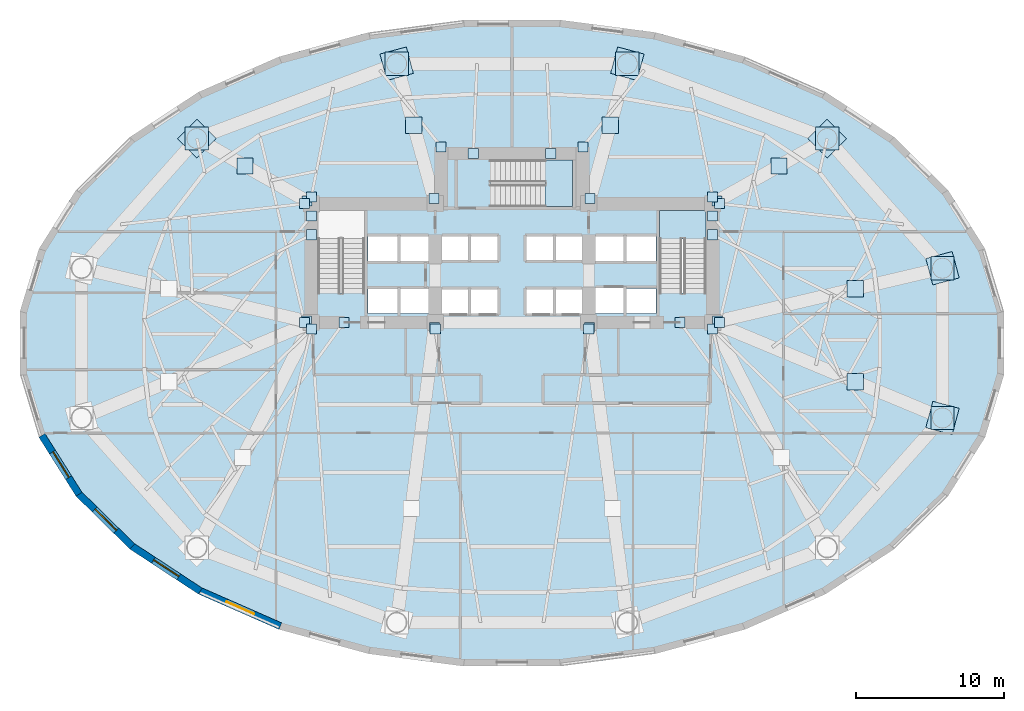
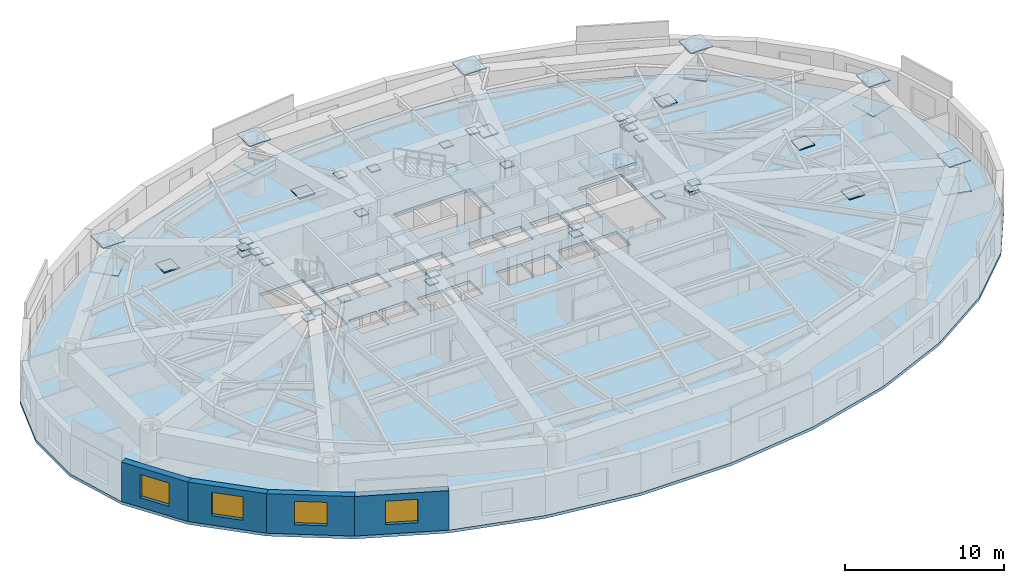
# One storey, part 4 of 14: 46 plates, 4 walls, 4 windows, 3 slabs, 4 openings, 2 elements without a shape of their own.
"""IFC4 building model written with IfcOpenShell, lengths in metres."""

from ifc_helpers import new_model, si_unit, direction, frame, frame_2d, origin, origin_2d, place, context, subcontext, project, spatial, polyline, rectangle, outline, extrude, material, layer, layer_set, type_object, element, fill, aggregate, save


model = new_model("IFC4")

# Units and contexts
model_context = context("Model", 3, precision=1e-05, world=origin(), true_north=direction((0.0, 1.0)))
body_context = subcontext(model_context, "Body", "Model", "MODEL_VIEW")
ifc_project = project(units=[si_unit("LENGTHUNIT", "METRE"), si_unit("AREAUNIT", "SQUARE_METRE"), si_unit("VOLUMEUNIT", "CUBIC_METRE"), si_unit("PLANEANGLEUNIT", "RADIAN"), si_unit("MASSUNIT", "GRAM", prefix="KILO")], contexts=[model_context])

# Site, building, storey
site_placement = place(None, origin())
site = spatial("IfcSite", under=ifc_project, at=site_placement, CompositionType="ELEMENT")
building_placement = place(site_placement, origin())
building = spatial("IfcBuilding", under=site, at=building_placement, Name="Keldmark Tower", CompositionType="ELEMENT")
storey_placement = place(building_placement, frame((0.0, 0.0, 22.800048828125)))
storey = spatial("IfcBuildingStorey", under=building, at=storey_placement, Name="L05", CompositionType="ELEMENT", Elevation=22.800048828125)

# Plates
ifc_material_1 = material(Name="Steel ASTM A572 Grade 50", Category="steel")
ifc_layer_1 = layer(ifc_material_1, 0.06005859375)
ifc_layer_set_1 = layer_set([ifc_layer_1], Name="Steel ASTM A572 Grade 50")
plate_type_1 = type_object("IfcPlateType", Name="Belt Truss Kink Node Assembly KN01 60 mm", PredefinedType="USERDEFINED", material=ifc_layer_set_1)
for number, where, z_axis, x_axis, name in (
    (1, (13.940673828125, 1.48046875, 2.97265625), (0.0, 0.0, 1.0), (1.0, 0.0, 0.0), "L05 Core Wall Cast-In Embed Plate 103"),
    (2, (13.904296875, 9.623046875, 2.97265625), (0.0, 0.0, 1.0), (1.0, 0.0, 0.0), "L05 Core Wall Cast-In Embed Plate 104"),
    (3, (5.293212890625, 9.787353515625, 2.97265625), (0.0, 0.0, 1.0), (1.0, 0.0, 0.0), "L05 Core Wall Cast-In Embed Plate 105"),
    (4, (-5.293212890625, 9.787353515625, 2.97265625), (0.0, 0.0, 1.0), (1.0, 0.0, 0.0), "L05 Core Wall Cast-In Embed Plate 106"),
    (5, (-13.904296875, 9.623046875, 2.97265625), (0.0, 0.0, 1.0), (1.0, 0.0, 0.0), "L05 Core Wall Cast-In Embed Plate 107"),
    (6, (-13.940673828125, 1.48046875, 2.97265625), (0.0, 0.0, 1.0), (1.0, 0.0, 0.0), "L05 Core Wall Cast-In Embed Plate 108"),
    (7, (-5.24462890625, 1.052978515625, 2.97265625), (0.0, 0.0, 1.0), (1.0, 0.0, 0.0), "L05 Core Wall Cast-In Embed Plate 109"),
    (8, (5.24462890625, 1.052978515625, 2.97265625), (0.0, 0.0, 1.0), (1.0, 0.0, 0.0), "L05 Core Wall Cast-In Embed Plate 110"),
    (9, (13.60009765625, 7.343017578125, 3.60400390625), (0.0, 0.0, 1.0), (1.0, 0.0, 0.0), "L05 Core Wall Cast-In Embed Plate 111"),
    (10, (14.050048828125, 9.449951171875, 3.60400390625), (0.0, 0.0, 1.0), (1.0, 0.0, 0.0), "L05 Core Wall Cast-In Embed Plate 112"),
    (11, (14.050048828125, 1.39990234375, 3.60400390625), (0.0, 0.0, 1.0), (1.0, 0.0, 0.0), "L05 Core Wall Cast-In Embed Plate 113"),
    (12, (13.60009765625, 9.89990234375, 3.60400390625), (0.0, 0.0, 1.0), (1.0, 0.0, 0.0), "L05 Core Wall Cast-In Embed Plate 114"),
    (13, (4.800048828125, 13.300048828125, 3.60400390625), (0.0, 0.0, 1.0), (1.0, 0.0, 0.0), "L05 Core Wall Cast-In Embed Plate 115"),
    (14, (2.625, 12.85009765625, 3.60400390625), (0.0, 0.0, 1.0), (1.0, 0.0, 0.0), "L05 Core Wall Cast-In Embed Plate 116"),
    (15, (-2.625, 12.85009765625, 3.60400390625), (0.0, 0.0, 1.0), (1.0, 0.0, 0.0), "L05 Core Wall Cast-In Embed Plate 117"),
    (16, (-4.800048828125, 13.300048828125, 3.60400390625), (0.0, 0.0, 1.0), (1.0, 0.0, 0.0), "L05 Core Wall Cast-In Embed Plate 118"),
    (17, (-13.60009765625, 9.89990234375, 3.60400390625), (0.0, 0.0, 1.0), (1.0, 0.0, 0.0), "L05 Core Wall Cast-In Embed Plate 119"),
    (18, (-14.050048828125, 1.39990234375, 3.60400390625), (0.0, 0.0, 1.0), (1.0, 0.0, 0.0), "L05 Core Wall Cast-In Embed Plate 120"),
    (19, (-14.050048828125, 9.449951171875, 3.60400390625), (0.0, 0.0, 1.0), (1.0, 0.0, 0.0), "L05 Core Wall Cast-In Embed Plate 121"),
    (20, (-13.60009765625, 7.343017578125, 3.60400390625), (0.0, 0.0, 1.0), (1.0, 0.0, 0.0), "L05 Core Wall Cast-In Embed Plate 122"),
    (21, (-13.60009765625, 8.621337890625, 3.60400390625), (0.0, 0.0, 1.0), (1.0, 0.0, 0.0), "L05 Core Wall Cast-In Embed Plate 123"),
    (22, (-13.60009765625, 0.949951171875, 3.60400390625), (0.0, 0.0, 1.0), (1.0, 0.0, 0.0), "L05 Core Wall Cast-In Embed Plate 124"),
    (23, (-11.392822265625, 1.39990234375, 3.60400390625), (0.0, 0.0, 1.0), (1.0, 0.0, 0.0), "L05 Core Wall Cast-In Embed Plate 125"),
    (24, (-5.199951171875, 0.949951171875, 3.60400390625), (0.0, 0.0, 1.0), (1.0, 0.0, 0.0), "L05 Core Wall Cast-In Embed Plate 126"),
    (25, (5.199951171875, 0.949951171875, 3.60400390625), (0.0, 0.0, 1.0), (1.0, 0.0, 0.0), "L05 Core Wall Cast-In Embed Plate 127"),
    (26, (13.60009765625, 0.949951171875, 3.60400390625), (0.0, 0.0, 1.0), (1.0, 0.0, 0.0), "L05 Core Wall Cast-In Embed Plate 128"),
    (27, (11.392822265625, 1.39990234375, 3.60400390625), (0.0, 0.0, 1.0), (1.0, 0.0, 0.0), "L05 Core Wall Cast-In Embed Plate 129"),
    (28, (13.60009765625, 8.621337890625, 3.60400390625), (0.0, 0.0, 1.0), (1.0, 0.0, 0.0), "L05 Core Wall Cast-In Embed Plate 130"),
):
    element("IfcPlate", number, at=place(storey_placement, frame(where, z_axis=z_axis, x_axis=x_axis)), inside=storey, type_object=plate_type_1, Name=name, ObjectType="CAP PLATE", PredefinedType="USERDEFINED", context=body_context, shape_type="SweptSolid", body=[
        extrude(rectangle(XDim=0.679931640625, YDim=0.679931640625, at=origin_2d()), origin(), (0.0, 0.0, 1.0), 0.054931640625),
    ])
ifc_material_2 = material(Name="Steel ASTM A572 Grade 50", Category="steel")
ifc_layer_2 = layer(ifc_material_2, 0.070068359375)
ifc_layer_set_2 = layer_set([ifc_layer_2], Name="Steel ASTM A572 Grade 50")
plate_type_2 = type_object("IfcPlateType", Name="Pilotis Top Cap Plate BP02 70 mm", PredefinedType="USERDEFINED", material=ifc_layer_set_2)
for number, where, z_axis, x_axis, name in (
    (29, (29.1708984375, 5.072998046875, 4.1298828125), (0.0, 0.0, 1.0), (1.0, 0.0, 0.0), "L05 Pilotis Transfer Cap Plate MC-01"),
    (30, (21.3544921875, 13.859375, 4.1298828125), (0.0, 0.0, 1.0), (1.0, 0.0, 0.0), "L05 Pilotis Transfer Cap Plate MC-02"),
    (31, (7.81640625, 18.93212890625, 4.1298828125), (0.0, 0.0, 1.0), (1.0, 0.0, 0.0), "L05 Pilotis Transfer Cap Plate MC-03"),
    (32, (-7.81640625, 18.93212890625, 4.1298828125), (0.0, 0.0, 1.0), (1.0, 0.0, 0.0), "L05 Pilotis Transfer Cap Plate MC-04"),
    (33, (-21.3544921875, 13.859375, 4.1298828125), (0.0, 0.0, 1.0), (1.0, 0.0, 0.0), "L05 Pilotis Transfer Cap Plate MC-05"),
    (34, (29.1708984375, -5.072998046875, 4.1298828125), (0.0, 0.0, 1.0), (1.0, 0.0, 0.0), "L05 Pilotis Transfer Cap Plate MC-12"),
):
    element("IfcPlate", number, at=place(storey_placement, frame(where, z_axis=z_axis, x_axis=x_axis)), inside=storey, type_object=plate_type_2, Name=name, ObjectType="CAP PLATE", PredefinedType="USERDEFINED", context=body_context, shape_type="SweptSolid", body=[
        extrude(rectangle(XDim=1.580078125, YDim=1.580078125, at=origin_2d()), origin(), (0.0, 0.0, 1.0), 0.070068359375),
    ])

# Stair, slab
ifc_material_3 = material(Name="Concrete C40/50", Category="concrete")
stair_type = type_object("IfcStairType", Name="Precast Concrete Core Exit Stair", PredefinedType="HALF_TURN_STAIR", material=ifc_material_3)
stair_1_placement = place(storey_placement, origin())
stair_1 = element("IfcStair", 35, at=stair_1_placement, inside=storey, type_object=stair_type, Name="L05 Exit Stair ST2", PredefinedType="HALF_TURN_STAIR")
ifc_material_4 = material(Name="Concrete C40/50", Category="concrete")
ifc_layer_3 = layer(ifc_material_4, 0.199951171875)
ifc_layer_set_3 = layer_set([ifc_layer_3], Name="Concrete C40/50")
slab_type_1 = type_object("IfcSlabType", Name="Reinforced Concrete Stair Landing 200 mm", PredefinedType="LANDING", material=ifc_layer_set_3)
slab_1_placement = place(storey_placement, frame((0.0, 0.0, 1.89990234375)))
slab_1 = element("IfcSlab", 36, at=slab_1_placement, type_object=slab_type_1, Name="ST2 landing 1", PredefinedType="LANDING", context=body_context, shape_type="SweptSolid", body=[
    extrude(outline(polyline([(13.14990234375, 7.070068359375), (13.14990234375, 9.0), (10.0, 9.0), (10.0, 7.070068359375), (13.14990234375, 7.070068359375)])), origin(), (0.0, 0.0, 1.0), 0.199951171875),
])
aggregate(stair_1, [slab_1])

stair_2_placement = place(storey_placement, origin())
stair_2 = element("IfcStair", 37, at=stair_2_placement, inside=storey, type_object=stair_type, Name="L05 Exit Stair ST3", PredefinedType="HALF_TURN_STAIR")
slab_2_placement = place(storey_placement, frame((0.0, 0.0, 1.89990234375)))
slab_2 = element("IfcSlab", 38, at=slab_2_placement, type_object=slab_type_1, Name="ST3 landing 1", PredefinedType="LANDING", context=body_context, shape_type="SweptSolid", body=[
    extrude(outline(polyline([(2.2451171875, 9.25), (4.10498046875, 9.25), (4.10498046875, 12.39990234375), (2.2451171875, 12.39990234375), (2.2451171875, 9.25)])), origin(), (0.0, 0.0, 1.0), 0.199951171875),
])
aggregate(stair_2, [slab_2])

# Slab
ifc_material_5 = material(Name="Concrete C35/45", Category="concrete")
ifc_layer_4 = layer(ifc_material_5, 0.219970703125)
ifc_layer_set_4 = layer_set([ifc_layer_4], Name="Concrete C35/45")
slab_type_2 = type_object("IfcSlabType", Name="Sky Lobby Floor Slab 220 mm", PredefinedType="FLOOR", material=ifc_layer_set_4)
slab_3_placement = place(storey_placement, frame((0.0, 0.0, -0.219970703125)))
element("IfcSlab", 39, at=slab_3_placement, inside=storey, type_object=slab_type_2, Name="L05 Composite Structural Floor Slab", PredefinedType="FLOOR", context=body_context, shape_type="SweptSolid", body=[
    extrude(outline(polyline([(33.338623046875, 2.156494140625), (32.0576171875, 6.38623046875), (29.54443359375, 10.37060546875), (25.89599609375, 13.956787109375), (21.252197265625, 17.006103515625), (15.791748046875, 19.40234375), (9.724609375, 21.052734375), (3.28369140625, 21.89404296875), (-3.28369140625, 21.89404296875), (-9.724609375, 21.052734375), (-15.791748046875, 19.40234375), (-21.252197265625, 17.006103515625), (-25.89599609375, 13.956787109375), (-29.54443359375, 10.37060546875), (-32.0576171875, 6.38623046875), (-33.338623046875, 2.156494140625), (-33.338623046875, -2.156494140625), (-32.0576171875, -6.38623046875), (-29.54443359375, -10.37060546875), (-25.89599609375, -13.956787109375), (-21.252197265625, -17.006103515625), (-15.791748046875, -19.40234375), (-9.724609375, -21.052734375), (-3.28369140625, -21.89404296875), (3.28369140625, -21.89404296875), (9.724609375, -21.052734375), (15.791748046875, -19.40234375), (21.252197265625, -17.006103515625), (25.89599609375, -13.956787109375), (29.54443359375, -10.37060546875), (32.0576171875, -6.38623046875), (33.338623046875, -2.156494140625), (33.338623046875, 2.156494140625)]), holes=[polyline([(-10.0, 3.385009765625), (-10.0, 9.0), (-13.14990234375, 9.0), (-13.14990234375, 3.385009765625), (-10.0, 3.385009765625)]), polyline([(13.14990234375, 3.385009765625), (13.14990234375, 9.0), (10.0, 9.0), (10.0, 3.385009765625), (13.14990234375, 3.385009765625)]), polyline([(-1.43994140625, 9.25), (4.10498046875, 9.25), (4.10498046875, 12.39990234375), (-1.43994140625, 12.39990234375), (-1.43994140625, 9.25)]), polyline([(-9.75, 2.0), (-7.75, 2.0), (-7.75, 3.699951171875), (-9.75, 3.699951171875), (-9.75, 2.0)]), polyline([(7.75, 2.0), (9.75, 2.0), (9.75, 3.699951171875), (7.75, 3.699951171875), (7.75, 2.0)]), polyline([(5.449951171875, 2.0), (7.550048828125, 2.0), (7.550048828125, 3.75), (5.449951171875, 3.75), (5.449951171875, 2.0)]), polyline([(-4.800048828125, 2.0), (-2.949951171875, 2.0), (-2.949951171875, 3.64990234375), (-4.800048828125, 3.64990234375), (-4.800048828125, 2.0)]), polyline([(-2.800048828125, 2.0), (-0.949951171875, 2.0), (-0.949951171875, 3.64990234375), (-2.800048828125, 3.64990234375), (-2.800048828125, 2.0)]), polyline([(0.949951171875, 2.0), (2.800048828125, 2.0), (2.800048828125, 3.64990234375), (0.949951171875, 3.64990234375), (0.949951171875, 2.0)]), polyline([(2.949951171875, 2.0), (4.800048828125, 2.0), (4.800048828125, 3.64990234375), (2.949951171875, 3.64990234375), (2.949951171875, 2.0)]), polyline([(-4.800048828125, 5.60009765625), (-2.949951171875, 5.60009765625), (-2.949951171875, 7.25), (-4.800048828125, 7.25), (-4.800048828125, 5.60009765625)]), polyline([(-2.800048828125, 5.60009765625), (-0.949951171875, 5.60009765625), (-0.949951171875, 7.25), (-2.800048828125, 7.25), (-2.800048828125, 5.60009765625)]), polyline([(0.949951171875, 5.60009765625), (2.800048828125, 5.60009765625), (2.800048828125, 7.25), (0.949951171875, 7.25), (0.949951171875, 5.60009765625)]), polyline([(2.949951171875, 5.60009765625), (4.800048828125, 5.60009765625), (4.800048828125, 7.25), (2.949951171875, 7.25), (2.949951171875, 5.60009765625)]), polyline([(-9.75, 5.550048828125), (-7.75, 5.550048828125), (-7.75, 7.25), (-9.75, 7.25), (-9.75, 5.550048828125)]), polyline([(-7.550048828125, 5.550048828125), (-5.550048828125, 5.550048828125), (-5.550048828125, 7.25), (-7.550048828125, 7.25), (-7.550048828125, 5.550048828125)]), polyline([(-7.550048828125, 2.0), (-5.550048828125, 2.0), (-5.550048828125, 3.699951171875), (-7.550048828125, 3.699951171875), (-7.550048828125, 2.0)]), polyline([(5.449951171875, 5.550048828125), (7.550048828125, 5.550048828125), (7.550048828125, 7.25), (5.449951171875, 7.25), (5.449951171875, 5.550048828125)]), polyline([(7.75, 5.550048828125), (9.75, 5.550048828125), (9.75, 7.25), (7.75, 7.25), (7.75, 5.550048828125)])]), origin(), (0.0, 0.0, 1.0), 0.219970703125),
])

# Plates
ifc_material_6 = material(Name="Steel ASTM A572 Grade 50", Category="steel")
ifc_layer_5 = layer(ifc_material_6, 0.0849609375)
ifc_layer_set_5 = layer_set([ifc_layer_5], Name="Steel ASTM A572 Grade 50")
plate_type_3 = type_object("IfcPlateType", Name="Transfer Ring Node Assembly TN01 85 mm", PredefinedType="USERDEFINED", material=ifc_layer_set_5)
for number, where, z_axis, x_axis, name in (
    (40, (29.1708984375, 5.072998046875, 2.014892578125), (0.0, 0.0, 1.0), (0.965925826289, 0.258819045103, 0.0), "L05 Transfer Ring Node Assembly TN01-01"),
    (41, (21.3544921875, 13.859375, 2.014892578125), (0.0, 0.0, 1.0), (0.707106781187, 0.707106781187, 0.0), "L05 Transfer Ring Node Assembly TN01-02"),
    (42, (7.81640625, 18.93212890625, 2.014892578125), (0.0, 0.0, 1.0), (0.258819045103, 0.965925826289, 0.0), "L05 Transfer Ring Node Assembly TN01-03"),
    (43, (-7.81640625, 18.93212890625, 2.014892578125), (0.0, 0.0, 1.0), (-0.258819045103, 0.965925826289, 0.0), "L05 Transfer Ring Node Assembly TN01-04"),
    (44, (-21.3544921875, 13.859375, 2.014892578125), (0.0, 0.0, 1.0), (-0.707106781187, 0.707106781187, 0.0), "L05 Transfer Ring Node Assembly TN01-05"),
    (45, (29.1708984375, -5.072998046875, 2.014892578125), (0.0, 0.0, 1.0), (0.965925826289, -0.258819045103, 0.0), "L05 Transfer Ring Node Assembly TN01-12"),
):
    element("IfcPlate", number, at=place(storey_placement, frame(where, z_axis=z_axis, x_axis=x_axis)), inside=storey, type_object=plate_type_3, Name=name, ObjectType="CAP PLATE", PredefinedType="USERDEFINED", context=body_context, shape_type="SweptSolid", body=[
        extrude(rectangle(XDim=1.85009765625, YDim=1.85009765625, at=origin_2d()), origin(), (0.0, 0.0, 1.0), 0.0849609375),
    ])
for number, where, z_axis, x_axis, name in (
    (46, (23.25390625, 3.67724609375, 2.014892578125), (0.0, 0.0, 1.0), (1.0, 0.0, 0.0), "L05 Transfer Column Seat Node TC-E1"),
    (47, (18.09765625, 12.00732421875, 2.014892578125), (0.0, 0.0, 1.0), (1.0, 0.0, 0.0), "L05 Transfer Column Seat Node TC-E4"),
    (48, (6.6650390625, 14.760009765625, 2.014892578125), (0.0, 0.0, 1.0), (1.0, 0.0, 0.0), "L05 Transfer Column Seat Node TC-N2"),
    (49, (-6.6650390625, 14.760009765625, 2.014892578125), (0.0, 0.0, 1.0), (1.0, 0.0, 0.0), "L05 Transfer Column Seat Node TC-N1"),
    (50, (-18.09765625, 12.00732421875, 2.014892578125), (0.0, 0.0, 1.0), (1.0, 0.0, 0.0), "L05 Transfer Column Seat Node TC-W4"),
    (51, (23.25390625, -2.61328125, 2.014892578125), (0.0, 0.0, 1.0), (1.0, 0.0, 0.0), "L05 Transfer Column Seat Node TC-E5"),
):
    element("IfcPlate", number, at=place(storey_placement, frame(where, z_axis=z_axis, x_axis=x_axis)), inside=storey, type_object=plate_type_3, Name=name, ObjectType="CAP PLATE", PredefinedType="USERDEFINED", context=body_context, shape_type="SweptSolid", body=[
        extrude(rectangle(XDim=1.10009765625, YDim=1.10009765625, at=origin_2d()), origin(), (0.0, 0.0, 1.0), 0.0849609375),
    ])

# Wall, opening, window
ifc_material_7 = material(Name="Ironspot Manganese Brick and Kasota Buff Limestone Cavity Assembly", Category="masonry")
ifc_layer_6 = layer(ifc_material_7, 0.47998046875)
ifc_layer_set_6 = layer_set([ifc_layer_6], Name="Ironspot Manganese Brick and Kasota Buff Limestone Cavity Assembly")
wall_type = type_object("IfcWallType", Name="Podium Brick and Limestone Cavity Wall 480 mm", PredefinedType="STANDARD", material=ifc_layer_set_6)
wall_1_placement = place(storey_placement, frame((-29.34130859375, -10.24267578125, 0.0), z_axis=(0.0, 0.0, 1.0), x_axis=(-0.53349762721, 0.845801561693, 0.0)))
wall_1 = element("IfcWall", 52, at=wall_1_placement, inside=storey, type_object=wall_type, Name="L05 Exterior Brick and Spandrel Wall 18", PredefinedType="STANDARD", context=body_context, shape_type="SweptSolid", body=[
    extrude(rectangle(XDim=4.710693359375, YDim=0.47998046875, at=frame_2d((2.35546875, 0.0))), origin(), (0.0, 0.0, 1.0), 3.032958984375),
])
opening_1_placement = place(wall_1_placement, frame((1.330322265625, 0.0, 0.719970703125)))
opening_1 = element("IfcOpeningElement", 53, at=opening_1_placement, cuts=wall_1, Name="Opening W-07", PredefinedType="OPENING", context=body_context, shape_type="SweptSolid", body=[
    extrude(rectangle(XDim=2.050048828125, YDim=1.800048828125, at=frame_2d((1.02490234375, 0.89990234375))), frame((0.0, 0.25, 0.0), z_axis=(0.0, -1.0, 0.0), x_axis=(1.0, 0.0, 0.0)), (0.0, 0.0, 1.0), 0.5),
])
ifc_material_8 = material(Name="Thermally Broken Anodized Aluminum and Triple Low-E Argon Glazing", Category="aluminium")
window_type = type_object("IfcWindowType", Name="Podium Mezzanine Punched Window 2050x1800", PartitioningType="DOUBLE_PANEL_VERTICAL", PredefinedType="WINDOW", material=ifc_material_8)
window_1_placement = place(opening_1_placement, origin())
window_1 = element("IfcWindow", 54, at=window_1_placement, inside=storey, type_object=window_type, Name="L05 Deep-Set Window 18", OverallHeight=1.800048828125, OverallWidth=2.050048828125, PartitioningType="SINGLE_PANEL", PredefinedType="WINDOW", context=body_context, shape_type="SweptSolid", body=[
    extrude(rectangle(XDim=2.050048828125, YDim=1.800048828125, at=frame_2d((1.02490234375, 0.89990234375))), frame((0.0, -0.010009765625, 0.0), z_axis=(0.0, -1.0, 0.0), x_axis=(1.0, 0.0, 0.0)), (0.0, 0.0, 1.0), 0.06005859375),
])
fill(opening_1, window_1)

wall_2_placement = place(storey_placement, frame((-25.727783203125, -13.785400390625, 0.0), z_axis=(0.0, 0.0, 1.0), x_axis=(-0.713189080178, 0.700971708355, 0.0)))
wall_2 = element("IfcWall", 55, at=wall_2_placement, inside=storey, type_object=wall_type, Name="L05 Exterior Brick and Spandrel Wall 19", PredefinedType="STANDARD", context=body_context, shape_type="SweptSolid", body=[
    extrude(rectangle(XDim=5.11572265625, YDim=0.47998046875, at=frame_2d((2.557861328125, 0.0))), origin(), (0.0, 0.0, 1.0), 3.032958984375),
])
opening_2_placement = place(wall_2_placement, frame((1.532958984375, 0.0, 0.719970703125)))
opening_2 = element("IfcOpeningElement", 56, at=opening_2_placement, cuts=wall_2, Name="Opening W-07", PredefinedType="OPENING", context=body_context, shape_type="SweptSolid", body=[
    extrude(rectangle(XDim=2.050048828125, YDim=1.800048828125, at=frame_2d((1.02490234375, 0.89990234375))), frame((0.0, 0.25, 0.0), z_axis=(0.0, -1.0, 0.0), x_axis=(1.0, 0.0, 0.0)), (0.0, 0.0, 1.0), 0.5),
])
window_2_placement = place(opening_2_placement, origin())
window_2 = element("IfcWindow", 57, at=window_2_placement, inside=storey, type_object=window_type, Name="L05 Deep-Set Window 19", OverallHeight=1.800048828125, OverallWidth=2.050048828125, PartitioningType="SINGLE_PANEL", PredefinedType="WINDOW", context=body_context, shape_type="SweptSolid", body=[
    extrude(rectangle(XDim=2.050048828125, YDim=1.800048828125, at=frame_2d((1.02490234375, 0.89990234375))), frame((0.0, -0.010009765625, 0.0), z_axis=(0.0, -1.0, 0.0), x_axis=(1.0, 0.0, 0.0)), (0.0, 0.0, 1.0), 0.06005859375),
])
fill(opening_2, window_2)

wall_3_placement = place(storey_placement, frame((-21.12060546875, -16.8056640625, 0.0), z_axis=(0.0, 0.0, 1.0), x_axis=(-0.835863918172, 0.548936708827, 0.0)))
wall_3 = element("IfcWall", 58, at=wall_3_placement, inside=storey, type_object=wall_type, Name="L05 Exterior Brick and Spandrel Wall 20", PredefinedType="STANDARD", context=body_context, shape_type="SweptSolid", body=[
    extrude(rectangle(XDim=5.555419921875, YDim=0.47998046875, at=frame_2d((2.77783203125, 0.0))), origin(), (0.0, 0.0, 1.0), 3.032958984375),
])
opening_3_placement = place(wall_3_placement, frame((1.752685546875, 0.0, 0.719970703125)))
opening_3 = element("IfcOpeningElement", 59, at=opening_3_placement, cuts=wall_3, Name="Opening W-07", PredefinedType="OPENING", context=body_context, shape_type="SweptSolid", body=[
    extrude(rectangle(XDim=2.050048828125, YDim=1.800048828125, at=frame_2d((1.02490234375, 0.89990234375))), frame((0.0, 0.25, 0.0), z_axis=(0.0, -1.0, 0.0), x_axis=(1.0, 0.0, 0.0)), (0.0, 0.0, 1.0), 0.5),
])
window_3_placement = place(opening_3_placement, origin())
window_3 = element("IfcWindow", 60, at=window_3_placement, inside=storey, type_object=window_type, Name="L05 Deep-Set Window 20", OverallHeight=1.800048828125, OverallWidth=2.050048828125, PartitioningType="SINGLE_PANEL", PredefinedType="WINDOW", context=body_context, shape_type="SweptSolid", body=[
    extrude(rectangle(XDim=2.050048828125, YDim=1.800048828125, at=frame_2d((1.02490234375, 0.89990234375))), frame((0.0, -0.010009765625, 0.0), z_axis=(0.0, -1.0, 0.0), x_axis=(1.0, 0.0, 0.0)), (0.0, 0.0, 1.0), 0.06005859375),
])
fill(opening_3, window_3)

wall_4_placement = place(storey_placement, frame((-15.6953125, -19.1826171875, 0.0), z_axis=(0.0, 0.0, 1.0), x_axis=(-0.91570760638, 0.401845218484, 0.0)))
wall_4 = element("IfcWall", 61, at=wall_4_placement, inside=storey, type_object=wall_type, Name="L05 Exterior Brick and Spandrel Wall 21", PredefinedType="STANDARD", context=body_context, shape_type="SweptSolid", body=[
    extrude(rectangle(XDim=5.963134765625, YDim=0.47998046875, at=frame_2d((2.9814453125, 0.0))), origin(), (0.0, 0.0, 1.0), 3.032958984375),
])
opening_4_placement = place(wall_4_placement, frame((1.95654296875, 0.0, 0.719970703125)))
opening_4 = element("IfcOpeningElement", 62, at=opening_4_placement, cuts=wall_4, Name="Opening W-07", PredefinedType="OPENING", context=body_context, shape_type="SweptSolid", body=[
    extrude(rectangle(XDim=2.050048828125, YDim=1.800048828125, at=frame_2d((1.02490234375, 0.89990234375))), frame((0.0, 0.25, 0.0), z_axis=(0.0, -1.0, 0.0), x_axis=(1.0, 0.0, 0.0)), (0.0, 0.0, 1.0), 0.5),
])
window_4_placement = place(opening_4_placement, origin())
window_4 = element("IfcWindow", 63, at=window_4_placement, inside=storey, type_object=window_type, Name="L05 Deep-Set Window 21", OverallHeight=1.800048828125, OverallWidth=2.050048828125, PartitioningType="SINGLE_PANEL", PredefinedType="WINDOW", context=body_context, shape_type="SweptSolid", body=[
    extrude(rectangle(XDim=2.050048828125, YDim=1.800048828125, at=frame_2d((1.02490234375, 0.89990234375))), frame((0.0, -0.010009765625, 0.0), z_axis=(0.0, -1.0, 0.0), x_axis=(1.0, 0.0, 0.0)), (0.0, 0.0, 1.0), 0.06005859375),
])
fill(opening_4, window_4)

save(model, "model.ifc")
